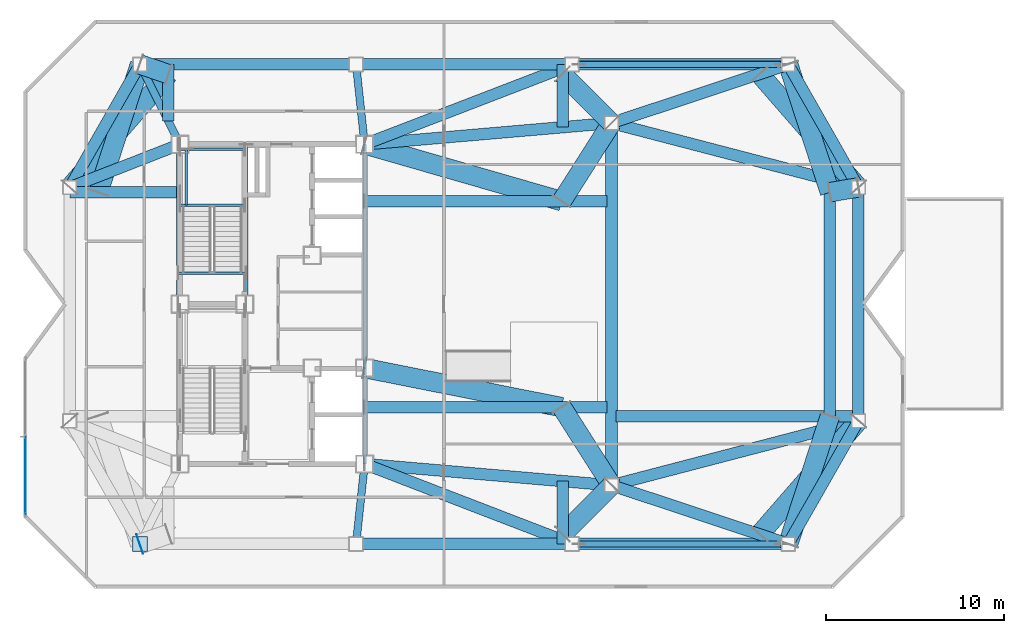
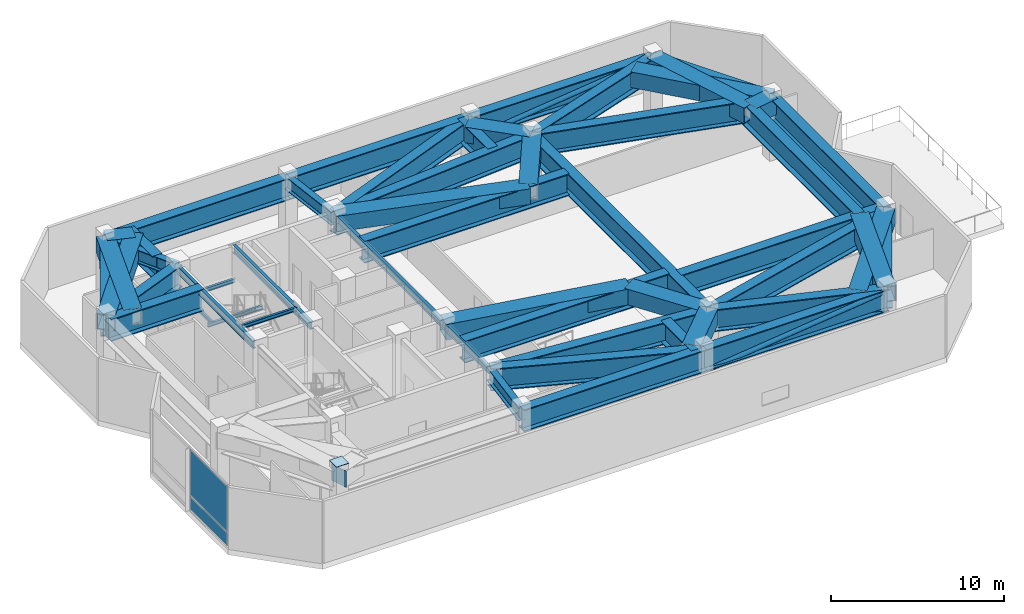
# One storey, part 4 of 11: 52 beams, 4 plates, 2 members, 1 element without a shape of its own.
"""IFC4 building model written with IfcOpenShell, lengths in metres."""

from ifc_helpers import new_model, si_unit, direction, frame, origin, origin_2d, place, context, subcontext, project, spatial, rectangle, hollow_rectangle, hollow_circle, i_section, extrude, material, layer, layer_set, material_profile, profile_set, type_object, element, aggregate, save


model = new_model("IFC4")

# Units and contexts
model_context = context("Model", 3, precision=1e-05, world=origin(), true_north=direction((0.0, 1.0)))
body_context = subcontext(model_context, "Body", "Model", "MODEL_VIEW")
ifc_project = project(units=[si_unit("LENGTHUNIT", "METRE"), si_unit("AREAUNIT", "SQUARE_METRE"), si_unit("VOLUMEUNIT", "CUBIC_METRE"), si_unit("PLANEANGLEUNIT", "RADIAN"), si_unit("MASSUNIT", "GRAM", prefix="KILO")], contexts=[model_context])

# Site, building, storey
site_placement = place(None, origin())
site = spatial("IfcSite", under=ifc_project, at=site_placement, CompositionType="ELEMENT")
building_placement = place(site_placement, origin())
building = spatial("IfcBuilding", under=site, at=building_placement, Name="Khamvora Tower", CompositionType="ELEMENT")
storey_placement = place(building_placement, frame((0.0, 0.0, 264.64990234375)))
storey = spatial("IfcBuildingStorey", under=building, at=storey_placement, Name="L68", CompositionType="ELEMENT", Elevation=264.64990234375)

# Beams
ifc_material_1 = material(Name="Steel S355", Category="steel")
ifc_material_profile_1 = material_profile(ifc_material_1, i_section(OverallWidth=0.14697265625, OverallDepth=0.261962890625, WebThickness=0.007080078125, FlangeThickness=0.010986328125, FilletRadius=0.008056640625, at=origin_2d()), Name="W250x39")
ifc_profile_set_1 = profile_set([ifc_material_profile_1], Name="Steel S355")
beam_type_1 = type_object("IfcBeamType", Name="BM-LN-W250x39", PredefinedType="LINTEL", material=ifc_profile_set_1)
for number, where, z_axis, x_axis, name in (
    (1, (29.0, 33.574951171875, 2.069091796875), (1.0, 0.0, 0.0), (0.0, 1.0, 0.0), "L68 ST-02 half-landing support beam 1.1"),
    (2, (29.0, 36.72998046875, 2.069091796875), (1.0, 0.0, 0.0), (0.0, 1.0, 0.0), "L68 ST-02 half-landing support beam 1.2"),
):
    element("IfcBeam", number, at=place(storey_placement, frame(where, z_axis=z_axis, x_axis=x_axis)), inside=storey, type_object=beam_type_1, Name=name, PredefinedType="LINTEL", context=body_context, shape_type="SweptSolid", body=[
        extrude(i_section(OverallWidth=0.14697265625, OverallDepth=0.261962890625, WebThickness=0.007080078125, FlangeThickness=0.010986328125, FilletRadius=0.008056640625, at=origin_2d()), origin(), (0.0, 0.0, 1.0), 3.64990234375),
    ])
beam_1_placement = place(storey_placement, frame((29.35009765625, 33.574951171875, 2.069091796875), z_axis=(0.0, 1.0, 0.0), x_axis=(-1.0, 0.0, 0.0)))
element("IfcBeam", 3, at=beam_1_placement, inside=storey, type_object=beam_type_1, Name="L68 ST-02 half-landing edge stringer 1", PredefinedType="LINTEL", context=body_context, shape_type="SweptSolid", body=[
    extrude(i_section(OverallWidth=0.14697265625, OverallDepth=0.261962890625, WebThickness=0.007080078125, FlangeThickness=0.010986328125, FilletRadius=0.008056640625, at=origin_2d()), origin(), (0.0, 0.0, 1.0), 3.155029296875),
])
beam_2_placement = place(storey_placement, frame((28.89990234375, 29.75, 4.254150390625), z_axis=(1.0, 0.0, 0.0), x_axis=(0.0, 1.0, 0.0)))
element("IfcBeam", 4, at=beam_2_placement, inside=storey, type_object=beam_type_1, Name="L68 exit stair ST-02 landing trimmer beam", PredefinedType="LINTEL", context=body_context, shape_type="SweptSolid", body=[
    extrude(i_section(OverallWidth=0.14697265625, OverallDepth=0.261962890625, WebThickness=0.007080078125, FlangeThickness=0.010986328125, FilletRadius=0.008056640625, at=origin_2d()), origin(), (0.0, 0.0, 1.0), 3.830078125),
])
ifc_material_profile_2 = material_profile(ifc_material_1, i_section(OverallWidth=0.208984375, OverallDepth=0.532958984375, WebThickness=0.010009765625, FlangeThickness=0.01611328125, FilletRadius=0.013916015625, at=origin_2d()), Name="W530x92")
ifc_profile_set_2 = profile_set([ifc_material_profile_2], Name="Steel S355")
beam_type_2 = type_object("IfcBeamType", Name="BM-SP-W530x92", PredefinedType="SPANDREL", material=ifc_profile_set_2)
for number, where, z_axis, x_axis, name in (
    (5, (28.89990234375, 28.0, 4.113037109375), (0.0, 1.0, 0.0), (-1.0, 0.0, 0.0), "L68 core spine girder WN"),
    (6, (32.72998046875, 28.0, 4.113037109375), (0.0, 1.0, 0.0), (-1.0, 0.0, 0.0), "L68 core spine girder M1N"),
):
    element("IfcBeam", number, at=place(storey_placement, frame(where, z_axis=z_axis, x_axis=x_axis)), inside=storey, type_object=beam_type_2, Name=name, PredefinedType="SPANDREL", context=body_context, shape_type="SweptSolid", body=[
        extrude(i_section(OverallWidth=0.208984375, OverallDepth=0.532958984375, WebThickness=0.010009765625, FlangeThickness=0.01611328125, FilletRadius=0.013916015625, at=origin_2d()), origin(), (0.0, 0.0, 1.0), 9.0),
    ])
beam_3_placement = place(storey_placement, frame((39.39990234375, 19.0, 4.113037109375), z_axis=(0.0, 1.0, 0.0), x_axis=(-1.0, 0.0, 0.0)))
element("IfcBeam", 7, at=beam_3_placement, inside=storey, type_object=beam_type_2, Name="L68 core spine girder ES", PredefinedType="SPANDREL", context=body_context, shape_type="SweptSolid", body=[
    extrude(i_section(OverallWidth=0.208984375, OverallDepth=0.532958984375, WebThickness=0.010009765625, FlangeThickness=0.01611328125, FilletRadius=0.013916015625, at=origin_2d()), origin(), (0.0, 0.0, 1.0), 5.39990234375),
])
beam_4_placement = place(storey_placement, frame((39.39990234375, 24.39990234375, 4.113037109375), z_axis=(0.0, 1.0, 0.0), x_axis=(-1.0, 0.0, 0.0)))
element("IfcBeam", 8, at=beam_4_placement, inside=storey, type_object=beam_type_2, Name="L68 core spine girder EN", PredefinedType="SPANDREL", context=body_context, shape_type="SweptSolid", body=[
    extrude(i_section(OverallWidth=0.208984375, OverallDepth=0.532958984375, WebThickness=0.010009765625, FlangeThickness=0.01611328125, FilletRadius=0.013916015625, at=origin_2d()), origin(), (0.0, 0.0, 1.0), 12.60009765625),
])
ifc_material_2 = material(Name="Steel S460", Category="steel")
ifc_material_profile_3 = material_profile(ifc_material_2, hollow_rectangle(XDim=1.10009765625, YDim=1.10009765625, WallThickness=0.054931640625, at=origin_2d()), Name="BOX1100x1100x55")
ifc_profile_set_3 = profile_set([ifc_material_profile_3], Name="Steel S460")
beam_type_3 = type_object("IfcBeamType", Name="BM-TG-BOX1100", PredefinedType="BEAM", material=ifc_profile_set_3)
beam_5_placement = place(storey_placement, frame((53.300048828125, 17.800048828125, 3.830078125), z_axis=(-0.707106781187, -0.707106781187, 0.0), x_axis=(0.707106781187, -0.707106781187, 0.0)))
element("IfcBeam", 9, at=beam_5_placement, inside=storey, type_object=beam_type_3, Name="L68 setback frame transfer frame transfer link S3.2", PredefinedType="BEAM", context=body_context, shape_type="SweptSolid", body=[
    extrude(hollow_rectangle(XDim=1.10009765625, YDim=1.10009765625, WallThickness=0.054931640625, at=origin_2d()), origin(), (0.0, 0.0, 1.0), 3.88916015625),
])
beam_6_placement = place(storey_placement, frame((67.199951171875, 21.425048828125, 3.830078125), z_axis=(-0.656621252525, -0.75422047886, 0.0), x_axis=(0.75422047886, -0.656621252525, 0.0)))
element("IfcBeam", 10, at=beam_6_placement, inside=storey, type_object=beam_type_3, Name="L68 setback frame transfer frame transfer link S4.2", PredefinedType="BEAM", context=body_context, shape_type="SweptSolid", body=[
    extrude(hollow_rectangle(XDim=1.10009765625, YDim=1.10009765625, WallThickness=0.054931640625, at=origin_2d()), origin(), (0.0, 0.0, 1.0), 8.452392578125),
])
beam_7_placement = place(storey_placement, frame((26.75, 41.5, 3.830078125), z_axis=(0.945683826865, -0.325087833678, 0.0), x_axis=(0.325087833678, 0.945683826865, 0.0)))
element("IfcBeam", 11, at=beam_7_placement, inside=storey, type_object=beam_type_3, Name="L68 setback frame transfer frame transfer link N1.1", PredefinedType="BEAM", context=body_context, shape_type="SweptSolid", body=[
    extrude(hollow_rectangle(XDim=1.10009765625, YDim=1.10009765625, WallThickness=0.054931640625, at=origin_2d()), origin(), (0.0, 0.0, 1.0), 1.69189453125),
])
beam_8_placement = place(storey_placement, frame((22.800048828125, 34.574951171875, 3.830078125), z_axis=(0.656621252525, 0.75422047886, 0.0), x_axis=(-0.75422047886, 0.656621252525, 0.0)))
element("IfcBeam", 12, at=beam_8_placement, inside=storey, type_object=beam_type_3, Name="L68 setback frame transfer frame transfer link N1.3", PredefinedType="BEAM", context=body_context, shape_type="SweptSolid", body=[
    extrude(hollow_rectangle(XDim=1.10009765625, YDim=1.10009765625, WallThickness=0.054931640625, at=origin_2d()), origin(), (0.0, 0.0, 1.0), 8.452392578125),
])
beam_9_placement = place(storey_placement, frame((53.300048828125, 38.199951171875, 3.830078125), z_axis=(-0.707106781187, 0.707106781187, 0.0), x_axis=(-0.707106781187, -0.707106781187, 0.0)))
element("IfcBeam", 13, at=beam_9_placement, inside=storey, type_object=beam_type_3, Name="L68 setback frame transfer frame transfer link N3.2", PredefinedType="BEAM", context=body_context, shape_type="SweptSolid", body=[
    extrude(hollow_rectangle(XDim=1.10009765625, YDim=1.10009765625, WallThickness=0.054931640625, at=origin_2d()), origin(), (0.0, 0.0, 1.0), 3.88916015625),
])
beam_10_placement = place(storey_placement, frame((67.199951171875, 34.574951171875, 3.830078125), z_axis=(-0.656621252525, 0.75422047886, 0.0), x_axis=(-0.75422047886, -0.656621252525, 0.0)))
element("IfcBeam", 14, at=beam_10_placement, inside=storey, type_object=beam_type_3, Name="L68 setback frame transfer frame transfer link N4.2", PredefinedType="BEAM", context=body_context, shape_type="SweptSolid", body=[
    extrude(hollow_rectangle(XDim=1.10009765625, YDim=1.10009765625, WallThickness=0.054931640625, at=origin_2d()), origin(), (0.0, 0.0, 1.0), 8.452392578125),
])
for number, where, z_axis, x_axis, name in (
    (15, (26.75, 41.5, 3.830078125), (-0.310293585781, -0.950640778961, 0.0), (0.950640778961, -0.310293585781, 0.0), "L68 setback frame transfer frame transfer link W2.3"),
    (16, (63.25, 14.5, 3.830078125), (0.310293585781, 0.950640778961, 0.0), (-0.950640778961, 0.310293585781, 0.0), "L68 setback frame transfer frame transfer link E1.2"),
):
    element("IfcBeam", number, at=place(storey_placement, frame(where, z_axis=z_axis, x_axis=x_axis)), inside=storey, type_object=beam_type_3, Name=name, PredefinedType="BEAM", context=body_context, shape_type="SweptSolid", body=[
        extrude(hollow_rectangle(XDim=1.10009765625, YDim=1.10009765625, WallThickness=0.054931640625, at=origin_2d()), origin(), (0.0, 0.0, 1.0), 7.57373046875),
    ])
beam_11_placement = place(storey_placement, frame((67.199951171875, 34.574951171875, 3.830078125), z_axis=(-0.985556343713, -0.169347847249, 0.0), x_axis=(0.169347847249, -0.985556343713, 0.0)))
element("IfcBeam", 17, at=beam_11_placement, inside=storey, type_object=beam_type_3, Name="L68 setback frame transfer frame transfer link E2.1", PredefinedType="BEAM", context=body_context, shape_type="SweptSolid", body=[
    extrude(hollow_rectangle(XDim=1.10009765625, YDim=1.10009765625, WallThickness=0.054931640625, at=origin_2d()), origin(), (0.0, 0.0, 1.0), 1.623291015625),
])
beam_12_placement = place(storey_placement, frame((63.25, 41.5, 3.830078125), z_axis=(0.310293585781, -0.950640778961, 0.0), x_axis=(0.950640778961, 0.310293585781, 0.0)))
element("IfcBeam", 18, at=beam_12_placement, inside=storey, type_object=beam_type_3, Name="L68 setback frame transfer frame transfer link E2.2", PredefinedType="BEAM", context=body_context, shape_type="SweptSolid", body=[
    extrude(hollow_rectangle(XDim=1.10009765625, YDim=1.10009765625, WallThickness=0.054931640625, at=origin_2d()), origin(), (0.0, 0.0, 1.0), 7.57373046875),
])
beam_13_placement = place(storey_placement, frame((53.300048828125, 17.800048828125, 3.830078125), z_axis=(-0.536890637273, 0.843651849763, 0.0), x_axis=(-0.843651849763, -0.536890637273, 0.0)))
element("IfcBeam", 19, at=beam_13_placement, inside=storey, type_object=beam_type_3, Name="L68 setback frame transfer frame transfer link M1.1", PredefinedType="BEAM", context=body_context, shape_type="SweptSolid", body=[
    extrude(hollow_rectangle(XDim=1.10009765625, YDim=1.10009765625, WallThickness=0.054931640625, at=origin_2d()), origin(), (0.0, 0.0, 1.0), 5.21533203125),
])
beam_14_placement = place(storey_placement, frame((39.39990234375, 24.39990234375, 3.830078125), z_axis=(0.980920240909, -0.194410598927, 0.0), x_axis=(0.194410598927, 0.980920240909, 0.0)))
element("IfcBeam", 20, at=beam_14_placement, inside=storey, type_object=beam_type_3, Name="L68 setback frame transfer frame transfer link M1.3", PredefinedType="BEAM", context=body_context, shape_type="SweptSolid", body=[
    extrude(hollow_rectangle(XDim=1.10009765625, YDim=1.10009765625, WallThickness=0.054931640625, at=origin_2d()), origin(), (0.0, 0.0, 1.0), 11.31591796875),
])
beam_15_placement = place(storey_placement, frame((53.300048828125, 38.199951171875, 3.830078125), z_axis=(-0.536890637273, -0.843651849763, 0.0), x_axis=(0.843651849763, -0.536890637273, 0.0)))
element("IfcBeam", 21, at=beam_15_placement, inside=storey, type_object=beam_type_3, Name="L68 setback frame transfer frame transfer link M2.1", PredefinedType="BEAM", context=body_context, shape_type="SweptSolid", body=[
    extrude(hollow_rectangle(XDim=1.10009765625, YDim=1.10009765625, WallThickness=0.054931640625, at=origin_2d()), origin(), (0.0, 0.0, 1.0), 5.21533203125),
])
beam_16_placement = place(storey_placement, frame((39.39990234375, 37.0, 3.830078125), z_axis=(0.960869684076, -0.277000812677, 0.0), x_axis=(0.277000812677, 0.960869684076, 0.0)))
element("IfcBeam", 22, at=beam_16_placement, inside=storey, type_object=beam_type_3, Name="L68 setback frame transfer frame transfer link M2.3", PredefinedType="BEAM", context=body_context, shape_type="SweptSolid", body=[
    extrude(hollow_rectangle(XDim=1.10009765625, YDim=1.10009765625, WallThickness=0.054931640625, at=origin_2d()), origin(), (0.0, 0.0, 1.0), 11.55224609375),
])
ifc_material_profile_4 = material_profile(ifc_material_2, i_section(OverallWidth=0.64990234375, OverallDepth=1.550048828125, WebThickness=0.0400390625, FlangeThickness=0.06494140625, at=origin_2d()), Name="PG1550x650x40x65")
ifc_profile_set_4 = profile_set([ifc_material_profile_4], Name="Steel S460")
beam_type_4 = type_object("IfcBeamType", Name="BM-TG-PG1800", PredefinedType="BEAM", material=ifc_profile_set_4)
beam_17_placement = place(storey_placement, frame((38.9169921875, 14.5, 3.60498046875), z_axis=(1.0, 0.0, 0.0), x_axis=(0.0, 1.0, 0.0)))
element("IfcBeam", 23, at=beam_17_placement, inside=storey, type_object=beam_type_4, Name="L68 perimeter spandrel beam S2-S3", PredefinedType="BEAM", context=body_context, shape_type="SweptSolid", body=[
    extrude(i_section(OverallWidth=0.64990234375, OverallDepth=1.550048828125, WebThickness=0.0400390625, FlangeThickness=0.06494140625, at=origin_2d()), origin(), (0.0, 0.0, 1.0), 12.166015625),
])
beam_18_placement = place(storey_placement, frame((51.0830078125, 14.5, 3.60498046875), z_axis=(1.0, 0.0, 0.0), x_axis=(0.0, 1.0, 0.0)))
element("IfcBeam", 24, at=beam_18_placement, inside=storey, type_object=beam_type_4, Name="L68 perimeter spandrel beam S3-S4", PredefinedType="BEAM", context=body_context, shape_type="SweptSolid", body=[
    extrude(i_section(OverallWidth=0.64990234375, OverallDepth=1.550048828125, WebThickness=0.0400390625, FlangeThickness=0.06494140625, at=origin_2d()), origin(), (0.0, 0.0, 1.0), 12.1669921875),
])
beam_19_placement = place(storey_placement, frame((63.25, 14.5, 3.60498046875), z_axis=(0.495456118564, 0.868632968853, 0.0), x_axis=(-0.868632968853, 0.495456118564, 0.0)))
element("IfcBeam", 25, at=beam_19_placement, inside=storey, type_object=beam_type_4, Name="L68 perimeter spandrel beam S4-E1", PredefinedType="BEAM", context=body_context, shape_type="SweptSolid", body=[
    extrude(i_section(OverallWidth=0.64990234375, OverallDepth=1.550048828125, WebThickness=0.0400390625, FlangeThickness=0.06494140625, at=origin_2d()), origin(), (0.0, 0.0, 1.0), 7.972412109375),
])
beam_20_placement = place(storey_placement, frame((67.199951171875, 21.425048828125, 3.60498046875), z_axis=(0.0, 1.0, 0.0), x_axis=(-1.0, 0.0, 0.0)))
element("IfcBeam", 26, at=beam_20_placement, inside=storey, type_object=beam_type_4, Name="L68 perimeter spandrel beam E1-E2", PredefinedType="BEAM", context=body_context, shape_type="SweptSolid", body=[
    extrude(i_section(OverallWidth=0.64990234375, OverallDepth=1.550048828125, WebThickness=0.0400390625, FlangeThickness=0.06494140625, at=origin_2d()), origin(), (0.0, 0.0, 1.0), 13.14990234375),
])
beam_21_placement = place(storey_placement, frame((67.199951171875, 34.574951171875, 3.60498046875), z_axis=(-0.495456118564, 0.868632968853, 0.0), x_axis=(-0.868632968853, -0.495456118564, 0.0)))
element("IfcBeam", 27, at=beam_21_placement, inside=storey, type_object=beam_type_4, Name="L68 perimeter spandrel beam E2-N4", PredefinedType="BEAM", context=body_context, shape_type="SweptSolid", body=[
    extrude(i_section(OverallWidth=0.64990234375, OverallDepth=1.550048828125, WebThickness=0.0400390625, FlangeThickness=0.06494140625, at=origin_2d()), origin(), (0.0, 0.0, 1.0), 7.972412109375),
])
beam_22_placement = place(storey_placement, frame((63.25, 41.5, 3.60498046875), z_axis=(-1.0, 0.0, 0.0), x_axis=(0.0, -1.0, 0.0)))
element("IfcBeam", 28, at=beam_22_placement, inside=storey, type_object=beam_type_4, Name="L68 perimeter spandrel beam N4-N3", PredefinedType="BEAM", context=body_context, shape_type="SweptSolid", body=[
    extrude(i_section(OverallWidth=0.64990234375, OverallDepth=1.550048828125, WebThickness=0.0400390625, FlangeThickness=0.06494140625, at=origin_2d()), origin(), (0.0, 0.0, 1.0), 12.1669921875),
])
beam_23_placement = place(storey_placement, frame((51.0830078125, 41.5, 3.60498046875), z_axis=(-1.0, 0.0, 0.0), x_axis=(0.0, -1.0, 0.0)))
element("IfcBeam", 29, at=beam_23_placement, inside=storey, type_object=beam_type_4, Name="L68 perimeter spandrel beam N3-N2", PredefinedType="BEAM", context=body_context, shape_type="SweptSolid", body=[
    extrude(i_section(OverallWidth=0.64990234375, OverallDepth=1.550048828125, WebThickness=0.0400390625, FlangeThickness=0.06494140625, at=origin_2d()), origin(), (0.0, 0.0, 1.0), 12.166015625),
])
beam_24_placement = place(storey_placement, frame((38.9169921875, 41.5, 3.60498046875), z_axis=(-1.0, 0.0, 0.0), x_axis=(0.0, -1.0, 0.0)))
element("IfcBeam", 30, at=beam_24_placement, inside=storey, type_object=beam_type_4, Name="L68 perimeter spandrel beam N2-N1", PredefinedType="BEAM", context=body_context, shape_type="SweptSolid", body=[
    extrude(i_section(OverallWidth=0.64990234375, OverallDepth=1.550048828125, WebThickness=0.0400390625, FlangeThickness=0.06494140625, at=origin_2d()), origin(), (0.0, 0.0, 1.0), 12.1669921875),
])
beam_25_placement = place(storey_placement, frame((26.75, 41.5, 3.60498046875), z_axis=(-0.495456118564, -0.868632968853, 0.0), x_axis=(0.868632968853, -0.495456118564, 0.0)))
element("IfcBeam", 31, at=beam_25_placement, inside=storey, type_object=beam_type_4, Name="L68 perimeter spandrel beam N1-W2", PredefinedType="BEAM", context=body_context, shape_type="SweptSolid", body=[
    extrude(i_section(OverallWidth=0.64990234375, OverallDepth=1.550048828125, WebThickness=0.0400390625, FlangeThickness=0.06494140625, at=origin_2d()), origin(), (0.0, 0.0, 1.0), 7.972412109375),
])
beam_26_placement = place(storey_placement, frame((53.300048828125, 17.800048828125, 3.60498046875), z_axis=(0.0, 1.0, 0.0), x_axis=(-1.0, 0.0, 0.0)))
element("IfcBeam", 32, at=beam_26_placement, inside=storey, type_object=beam_type_4, Name="L68 longitudinal frame girder M1-M2", PredefinedType="BEAM", context=body_context, shape_type="SweptSolid", body=[
    extrude(i_section(OverallWidth=0.64990234375, OverallDepth=1.550048828125, WebThickness=0.0400390625, FlangeThickness=0.06494140625, at=origin_2d()), origin(), (0.0, 0.0, 1.0), 20.39990234375),
])
beam_27_placement = place(storey_placement, frame((39.39990234375, 19.0, 3.60498046875), z_axis=(0.933171601475, -0.359431164759, 0.0), x_axis=(0.359431164759, 0.933171601475, 0.0)))
element("IfcBeam", 33, at=beam_27_placement, inside=storey, type_object=beam_type_4, Name="L68 primary floor girder S3", PredefinedType="BEAM", context=body_context, shape_type="SweptSolid", body=[
    extrude(i_section(OverallWidth=0.64990234375, OverallDepth=1.550048828125, WebThickness=0.0400390625, FlangeThickness=0.06494140625, at=origin_2d()), origin(), (0.0, 0.0, 1.0), 12.519775390625),
])
beam_28_placement = place(storey_placement, frame((53.300048828125, 17.800048828125, 3.60498046875), z_axis=(0.949157330029, -0.314802101092, 0.0), x_axis=(0.314802101092, 0.949157330029, 0.0)))
element("IfcBeam", 34, at=beam_28_placement, inside=storey, type_object=beam_type_4, Name="L68 primary floor girder S4", PredefinedType="BEAM", context=body_context, shape_type="SweptSolid", body=[
    extrude(i_section(OverallWidth=0.64990234375, OverallDepth=1.550048828125, WebThickness=0.0400390625, FlangeThickness=0.06494140625, at=origin_2d()), origin(), (0.0, 0.0, 1.0), 10.48291015625),
])
beam_29_placement = place(storey_placement, frame((39.39990234375, 37.0, 3.60498046875), z_axis=(0.933171601475, 0.359431164759, 0.0), x_axis=(-0.359431164759, 0.933171601475, 0.0)))
element("IfcBeam", 35, at=beam_29_placement, inside=storey, type_object=beam_type_4, Name="L68 primary floor girder N3", PredefinedType="BEAM", context=body_context, shape_type="SweptSolid", body=[
    extrude(i_section(OverallWidth=0.64990234375, OverallDepth=1.550048828125, WebThickness=0.0400390625, FlangeThickness=0.06494140625, at=origin_2d()), origin(), (0.0, 0.0, 1.0), 12.519775390625),
])
beam_30_placement = place(storey_placement, frame((53.300048828125, 38.199951171875, 3.60498046875), z_axis=(0.949157330029, 0.314802101092, 0.0), x_axis=(-0.314802101092, 0.949157330029, 0.0)))
element("IfcBeam", 36, at=beam_30_placement, inside=storey, type_object=beam_type_4, Name="L68 primary floor girder N4", PredefinedType="BEAM", context=body_context, shape_type="SweptSolid", body=[
    extrude(i_section(OverallWidth=0.64990234375, OverallDepth=1.550048828125, WebThickness=0.0400390625, FlangeThickness=0.06494140625, at=origin_2d()), origin(), (0.0, 0.0, 1.0), 10.48291015625),
])
beam_31_placement = place(storey_placement, frame((29.0, 37.0, 3.60498046875), z_axis=(-0.931294712743, -0.36426660294, 0.0), x_axis=(0.36426660294, -0.931294712743, 0.0)))
element("IfcBeam", 37, at=beam_31_placement, inside=storey, type_object=beam_type_4, Name="L68 primary floor girder W2", PredefinedType="BEAM", context=body_context, shape_type="SweptSolid", body=[
    extrude(i_section(OverallWidth=0.64990234375, OverallDepth=1.550048828125, WebThickness=0.0400390625, FlangeThickness=0.06494140625, at=origin_2d()), origin(), (0.0, 0.0, 1.0), 6.6572265625),
])
for number, where, z_axis, x_axis, name in (
    (38, (53.300048828125, 17.800048828125, 3.60498046875), (0.967635318494, 0.252352710314, 0.0), (-0.252352710314, 0.967635318494, 0.0), "L68 primary floor girder E1"),
    (39, (53.300048828125, 38.199951171875, 3.60498046875), (0.967635318494, -0.252352710314, 0.0), (0.252352710314, 0.967635318494, 0.0), "L68 primary floor girder E2"),
):
    element("IfcBeam", number, at=place(storey_placement, frame(where, z_axis=z_axis, x_axis=x_axis)), inside=storey, type_object=beam_type_4, Name=name, PredefinedType="BEAM", context=body_context, shape_type="SweptSolid", body=[
        extrude(i_section(OverallWidth=0.64990234375, OverallDepth=1.550048828125, WebThickness=0.0400390625, FlangeThickness=0.06494140625, at=origin_2d()), origin(), (0.0, 0.0, 1.0), 14.36474609375),
    ])
for number, where, z_axis, x_axis, name in (
    (40, (39.39990234375, 19.0, 3.60498046875), (0.996294564212, -0.08600663534, 0.0), (0.08600663534, 0.996294564212, 0.0), "L68 primary floor girder M1"),
    (41, (39.39990234375, 37.0, 3.60498046875), (0.996294564212, 0.08600663534, 0.0), (-0.08600663534, 0.996294564212, 0.0), "L68 primary floor girder M2"),
):
    element("IfcBeam", number, at=place(storey_placement, frame(where, z_axis=z_axis, x_axis=x_axis)), inside=storey, type_object=beam_type_4, Name=name, PredefinedType="BEAM", context=body_context, shape_type="SweptSolid", body=[
        extrude(i_section(OverallWidth=0.64990234375, OverallDepth=1.550048828125, WebThickness=0.0400390625, FlangeThickness=0.06494140625, at=origin_2d()), origin(), (0.0, 0.0, 1.0), 13.951904296875),
    ])
beam_32_placement = place(storey_placement, frame((50.550048828125, 14.5, 3.60498046875), z_axis=(0.0, 1.0, 0.0), x_axis=(-1.0, 0.0, 0.0)))
element("IfcBeam", 42, at=beam_32_placement, inside=storey, type_object=beam_type_4, Name="L68 setback frame transfer Box Girder S3", PredefinedType="BEAM", context=body_context, shape_type="SweptSolid", body=[
    extrude(i_section(OverallWidth=0.64990234375, OverallDepth=1.550048828125, WebThickness=0.0400390625, FlangeThickness=0.06494140625, at=origin_2d()), origin(), (0.0, 0.0, 1.0), 3.537109375),
])
beam_33_placement = place(storey_placement, frame((28.35009765625, 38.300048828125, 3.60498046875), z_axis=(0.0, 1.0, 0.0), x_axis=(-1.0, 0.0, 0.0)))
element("IfcBeam", 43, at=beam_33_placement, inside=storey, type_object=beam_type_4, Name="L68 setback frame transfer Box Girder N1", PredefinedType="BEAM", context=body_context, shape_type="SweptSolid", body=[
    extrude(i_section(OverallWidth=0.64990234375, OverallDepth=1.550048828125, WebThickness=0.0400390625, FlangeThickness=0.06494140625, at=origin_2d()), origin(), (0.0, 0.0, 1.0), 3.199951171875),
])
beam_34_placement = place(storey_placement, frame((50.550048828125, 37.962890625, 3.60498046875), z_axis=(0.0, 1.0, 0.0), x_axis=(-1.0, 0.0, 0.0)))
element("IfcBeam", 44, at=beam_34_placement, inside=storey, type_object=beam_type_4, Name="L68 setback frame transfer Box Girder N3", PredefinedType="BEAM", context=body_context, shape_type="SweptSolid", body=[
    extrude(i_section(OverallWidth=0.64990234375, OverallDepth=1.550048828125, WebThickness=0.0400390625, FlangeThickness=0.06494140625, at=origin_2d()), origin(), (0.0, 0.0, 1.0), 3.537109375),
])
beam_35_placement = place(storey_placement, frame((22.800048828125, 34.300048828125, 3.60498046875), z_axis=(1.0, 0.0, 0.0), x_axis=(0.0, 1.0, 0.0)))
element("IfcBeam", 45, at=beam_35_placement, inside=storey, type_object=beam_type_4, Name="L68 setback frame transfer Box Girder W2", PredefinedType="BEAM", context=body_context, shape_type="SweptSolid", body=[
    extrude(i_section(OverallWidth=0.64990234375, OverallDepth=1.550048828125, WebThickness=0.0400390625, FlangeThickness=0.06494140625, at=origin_2d()), origin(), (0.0, 0.0, 1.0), 6.199951171875),
])
beam_36_placement = place(storey_placement, frame((53.5400390625, 21.699951171875, 3.60498046875), z_axis=(1.0, 0.0, 0.0), x_axis=(0.0, 1.0, 0.0)))
element("IfcBeam", 46, at=beam_36_placement, inside=storey, type_object=beam_type_4, Name="L68 setback frame transfer Box Girder E1", PredefinedType="BEAM", context=body_context, shape_type="SweptSolid", body=[
    extrude(i_section(OverallWidth=0.64990234375, OverallDepth=1.550048828125, WebThickness=0.0400390625, FlangeThickness=0.06494140625, at=origin_2d()), origin(), (0.0, 0.0, 1.0), 13.659912109375),
])
beam_37_placement = place(storey_placement, frame((65.60009765625, 21.699951171875, 3.60498046875), z_axis=(0.0, 1.0, 0.0), x_axis=(-1.0, 0.0, 0.0)))
element("IfcBeam", 47, at=beam_37_placement, inside=storey, type_object=beam_type_4, Name="L68 setback frame transfer Box Girder E2", PredefinedType="BEAM", context=body_context, shape_type="SweptSolid", body=[
    extrude(i_section(OverallWidth=0.64990234375, OverallDepth=1.550048828125, WebThickness=0.0400390625, FlangeThickness=0.06494140625, at=origin_2d()), origin(), (0.0, 0.0, 1.0), 13.2919921875),
])
for number, where, z_axis, x_axis, name in (
    (48, (39.39990234375, 22.199951171875, 3.60498046875), (1.0, 0.0, 0.0), (0.0, 1.0, 0.0), "L68 setback frame transfer Box Girder M1"),
    (49, (39.39990234375, 33.800048828125, 3.60498046875), (1.0, 0.0, 0.0), (0.0, 1.0, 0.0), "L68 setback frame transfer Box Girder M2"),
):
    element("IfcBeam", number, at=place(storey_placement, frame(where, z_axis=z_axis, x_axis=x_axis)), inside=storey, type_object=beam_type_4, Name=name, PredefinedType="BEAM", context=body_context, shape_type="SweptSolid", body=[
        extrude(i_section(OverallWidth=0.64990234375, OverallDepth=1.550048828125, WebThickness=0.0400390625, FlangeThickness=0.06494140625, at=origin_2d()), origin(), (0.0, 0.0, 1.0), 13.66015625),
    ])
ifc_material_profile_5 = material_profile(ifc_material_2, i_section(OverallWidth=0.423095703125, OverallDepth=0.93310546875, WebThickness=0.02392578125, FlangeThickness=0.04296875, FilletRadius=0.02001953125, at=origin_2d()), Name="W920x446")
ifc_profile_set_5 = profile_set([ifc_material_profile_5], Name="Steel S460")
beam_type_5 = type_object("IfcBeamType", Name="BM-TL-900", PredefinedType="BEAM", material=ifc_profile_set_5)
beam_38_placement = place(storey_placement, frame((39.39990234375, 19.0, 3.9130859375), z_axis=(-0.106700735484, -0.994291181218, 0.0), x_axis=(0.994291181218, -0.106700735484, 0.0)))
element("IfcBeam", 50, at=beam_38_placement, inside=storey, type_object=beam_type_5, Name="L68 primary floor girder S2", PredefinedType="BEAM", context=body_context, shape_type="SweptSolid", body=[
    extrude(i_section(OverallWidth=0.423095703125, OverallDepth=0.93310546875, WebThickness=0.02392578125, FlangeThickness=0.04296875, FilletRadius=0.02001953125, at=origin_2d()), origin(), (0.0, 0.0, 1.0), 4.52587890625),
])
beam_39_placement = place(storey_placement, frame((29.0, 37.0, 3.9130859375), z_axis=(-0.4472135955, 0.894427191, 0.0), x_axis=(-0.894427191, -0.4472135955, 0.0)))
element("IfcBeam", 51, at=beam_39_placement, inside=storey, type_object=beam_type_5, Name="L68 primary floor girder N1", PredefinedType="BEAM", context=body_context, shape_type="SweptSolid", body=[
    extrude(i_section(OverallWidth=0.423095703125, OverallDepth=0.93310546875, WebThickness=0.02392578125, FlangeThickness=0.04296875, FilletRadius=0.02001953125, at=origin_2d()), origin(), (0.0, 0.0, 1.0), 5.03125),
])
beam_40_placement = place(storey_placement, frame((39.39990234375, 37.0, 3.9130859375), z_axis=(-0.106700735484, 0.994291181218, 0.0), x_axis=(-0.994291181218, -0.106700735484, 0.0)))
element("IfcBeam", 52, at=beam_40_placement, inside=storey, type_object=beam_type_5, Name="L68 primary floor girder N2", PredefinedType="BEAM", context=body_context, shape_type="SweptSolid", body=[
    extrude(i_section(OverallWidth=0.423095703125, OverallDepth=0.93310546875, WebThickness=0.02392578125, FlangeThickness=0.04296875, FilletRadius=0.02001953125, at=origin_2d()), origin(), (0.0, 0.0, 1.0), 4.52587890625),
])

# Members
ifc_material_profile_6 = material_profile(ifc_material_1, hollow_circle(Radius=0.177978515625, WallThickness=0.013916015625, at=origin_2d()), Name="CHS356x14")
ifc_profile_set_6 = profile_set([ifc_material_profile_6], Name="Steel S355")
member_type = type_object("IfcMemberType", Name="MEM-BR-CHS356", PredefinedType="BRACE", material=ifc_profile_set_6)
for number, where, z_axis, x_axis, name in (
    (53, (51.4599609375, 14.5, 2.72412109375), (0.993127818556, 0.0, 0.117034764106), (0.0, 1.0, 0.0), "L68 perimeter wind brace 1"),
    (54, (51.4599609375, 41.5, 2.72412109375), (0.993127818556, 0.0, 0.117034764106), (0.0, 1.0, 0.0), "L68 perimeter wind brace 2"),
):
    element("IfcMember", number, at=place(storey_placement, frame(where, z_axis=z_axis, x_axis=x_axis)), inside=storey, type_object=member_type, Name=name, PredefinedType="BRACE", context=body_context, shape_type="SweptSolid", body=[
        extrude(hollow_circle(Radius=0.177978515625, WallThickness=0.013916015625, at=origin_2d()), origin(), (0.0, 0.0, 1.0), 11.491943359375),
    ])

# Curtain wall, plates
ifc_material_3 = material(Name="Anodised Aluminium 6063-T6", Category="aluminium")
curtain_wall_type = type_object("IfcCurtainWallType", Name="CW-SYS-06", PredefinedType="NOTDEFINED", material=ifc_material_3)
curtain_wall_placement = place(storey_placement, origin())
curtain_wall = element("IfcCurtainWall", 55, at=curtain_wall_placement, inside=storey, type_object=curtain_wall_type, Name="L68 stick curtain wall 02.1", PredefinedType="NOTDEFINED")
ifc_material_4 = material(Name="Low-E Laminated Double Glazing", Category="glass")
ifc_layer_1 = layer(ifc_material_4, 0.0380859375)
ifc_layer_set_1 = layer_set([ifc_layer_1], Name="Low-E Laminated Double Glazing")
plate_type_1 = type_object("IfcPlateType", Name="CW-SYS-06-PNL", PredefinedType="CURTAIN_PANEL", material=ifc_layer_set_1)
plate_1_placement = place(storey_placement, frame((20.300048828125, 18.33984375, 0.080078125), z_axis=(0.0, 0.0, 1.0), x_axis=(0.0, 1.0, 0.0)))
plate_1 = element("IfcPlate", 56, at=plate_1_placement, type_object=plate_type_1, Name="CW-06 panel 1.1", PredefinedType="CURTAIN_PANEL", context=body_context, shape_type="SweptSolid", body=[
    extrude(rectangle(XDim=4.3115234375, YDim=0.0380859375, at=origin_2d()), origin(), (0.0, 0.0, 1.0), 0.929931640625),
])
plate_2_placement = place(storey_placement, frame((20.300048828125, 18.33984375, 1.090087890625), z_axis=(0.0, 0.0, 1.0), x_axis=(0.0, 1.0, 0.0)))
plate_2 = element("IfcPlate", 57, at=plate_2_placement, type_object=plate_type_1, Name="CW-06 panel 1.2", PredefinedType="CURTAIN_PANEL", context=body_context, shape_type="SweptSolid", body=[
    extrude(rectangle(XDim=4.3115234375, YDim=0.0380859375, at=origin_2d()), origin(), (0.0, 0.0, 1.0), 3.2099609375),
])
aggregate(curtain_wall, [plate_1, plate_2])

# Plates
ifc_layer_2 = layer(ifc_material_1, 0.02490234375)
ifc_layer_set_2 = layer_set([ifc_layer_2], Name="Steel S355")
plate_type_2 = type_object("IfcPlateType", Name="PL-CAP-25", PredefinedType="SHEET", material=ifc_layer_set_2)
plate_3_placement = place(storey_placement, frame((26.75, 14.5, 4.775634765625), z_axis=(0.0, 0.0, 1.0), x_axis=(1.0, 0.0, 0.0)))
element("IfcPlate", 58, at=plate_3_placement, inside=storey, type_object=plate_type_2, Name="L68 hollow section steel end cap plate 0231", PredefinedType="SHEET", context=body_context, shape_type="SweptSolid", body=[
    extrude(rectangle(XDim=0.830078125, YDim=0.830078125, at=origin_2d()), origin(), (0.0, 0.0, 1.0), 0.02490234375),
])
plate_4_placement = place(storey_placement, frame((26.738037109375, 14.49609375, 3.25), z_axis=(0.0, 0.0, 1.0), x_axis=(0.945688913069, 0.325073037483, 0.0)))
element("IfcPlate", 59, at=plate_4_placement, inside=storey, type_object=plate_type_2, Name="L68 hollow section steel end cap plate 1190", PredefinedType="SHEET", context=body_context, shape_type="SweptSolid", body=[
    extrude(rectangle(XDim=0.02490234375, YDim=1.159912109375, at=origin_2d()), origin(), (0.0, 0.0, 1.0), 1.159912109375),
])

save(model, "model.ifc")
